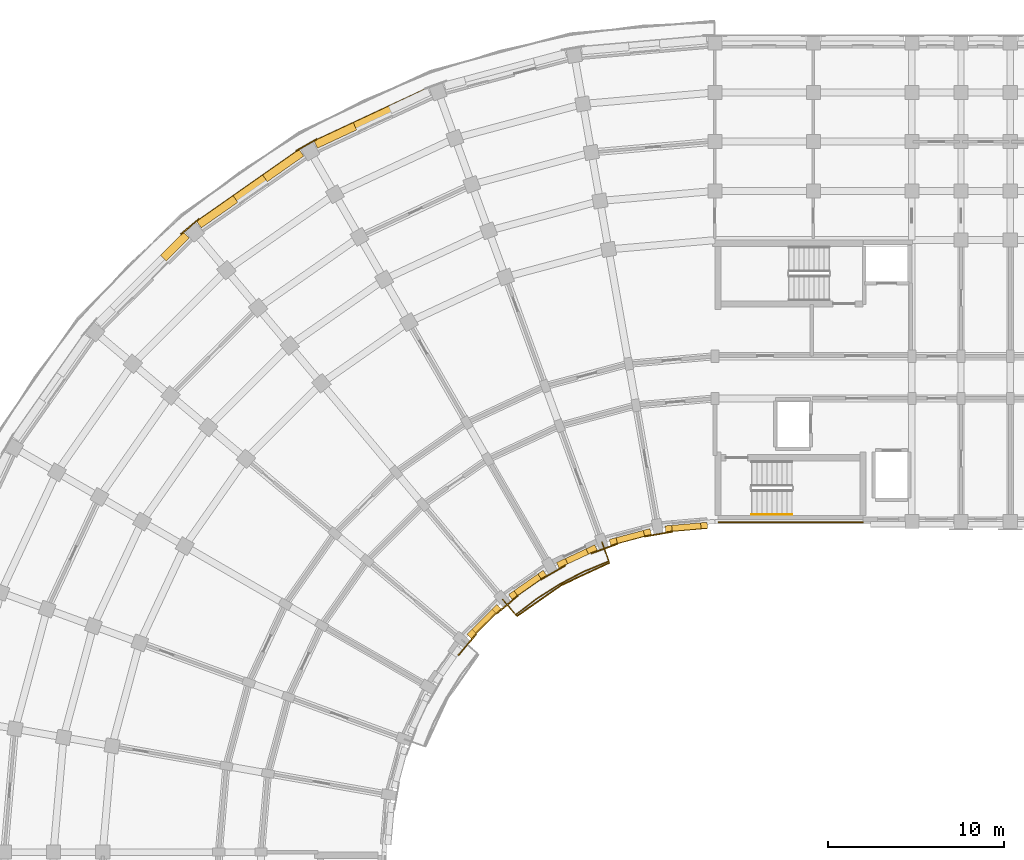
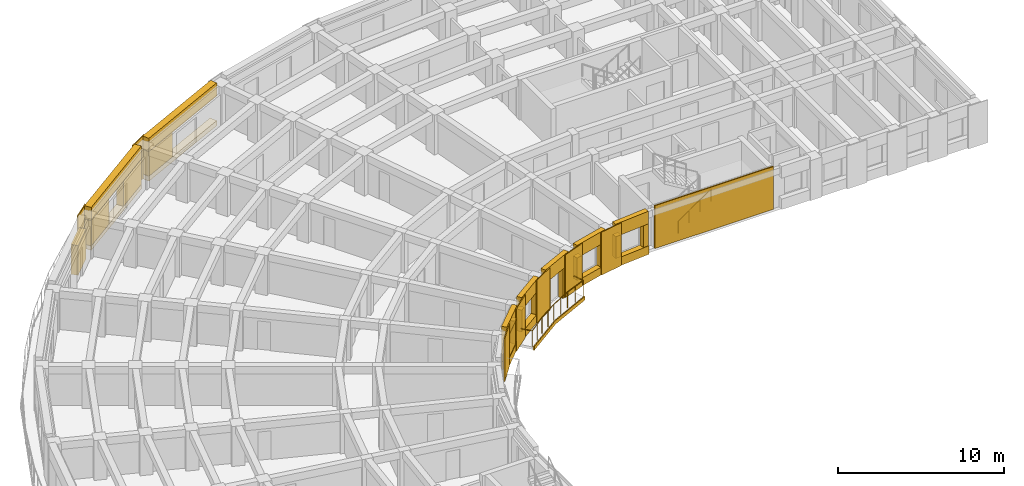
# One storey, part 46 of 54: 36 coverings, 2 railings, 1 shading device.
"""IFC4 building model written with IfcOpenShell, lengths in metres."""

from ifc_helpers import new_model, si_unit, direction, frame, origin, origin_2d, place, context, subcontext, project, spatial, polyline, rectangle, circle, outline, extrude, material, layer, layer_set, type_object, element, save


model = new_model("IFC4")

# Units and contexts
model_context = context("Model", 3, precision=1e-05, world=origin(), true_north=direction((0.0, 1.0)))
body_context = subcontext(model_context, "Body", "Model", "MODEL_VIEW")
ifc_project = project(units=[si_unit("LENGTHUNIT", "METRE"), si_unit("AREAUNIT", "SQUARE_METRE"), si_unit("VOLUMEUNIT", "CUBIC_METRE"), si_unit("PLANEANGLEUNIT", "RADIAN"), si_unit("MASSUNIT", "GRAM", prefix="KILO")], contexts=[model_context])

# Site, building, storey
site_placement = place(None, origin())
site = spatial("IfcSite", under=ifc_project, at=site_placement, CompositionType="ELEMENT")
building_placement = place(site_placement, origin())
building = spatial("IfcBuilding", under=site, at=building_placement, Name="Kiranvali Square Residences", CompositionType="ELEMENT")
storey_placement = place(building_placement, frame((0.0, 0.0, 11.85009765625)))
storey = spatial("IfcBuildingStorey", under=building, at=storey_placement, Name="L03", CompositionType="ELEMENT", Elevation=11.85009765625)

# Coverings
ifc_material_1 = material(Name="Carved Porbandar limestone classical entablature and cornice", Category="masonry")
ifc_layer_1 = layer(ifc_material_1, 0.06201171875)
ifc_layer_set_1 = layer_set([ifc_layer_1], Name="Carved Porbandar limestone classical entablature and cornice")
covering_type_1 = type_object("IfcCoveringType", Name="COV-CLAD-GBAL", PredefinedType="CLADDING", material=ifc_layer_set_1)
covering_1_placement = place(storey_placement, frame((0.0, 0.0, -0.22021484375)))
element("IfcCovering", 1, at=covering_1_placement, inside=storey, type_object=covering_type_1, Name="Block A L03 garden balcony limestone fascia 1", PredefinedType="CLADDING", context=body_context, shape_type="SweptSolid", body=[
    extrude(outline(polyline([(42.1982421875, 104.289794921875), (39.426025390625, 102.9970703125), (36.92041015625, 101.242431640625), (36.964111328125, 101.1904296875), (39.4599609375, 102.938232421875), (42.221435546875, 104.225830078125), (42.1982421875, 104.289794921875)])), origin(), (0.0, 0.0, 1.0), 0.27001953125),
])
ifc_material_2 = material(Name="Honed Porbandar limestone ashlar facade cladding", Category="masonry")
ifc_layer_2 = layer(ifc_material_2, 0.3798828125)
ifc_layer_set_2 = layer_set([ifc_layer_2], Name="Honed Porbandar limestone ashlar facade cladding")
covering_type_2 = type_object("IfcCoveringType", Name="COV-CLAD-JAMB", PredefinedType="CLADDING", material=ifc_layer_set_2)
covering_2_placement = place(storey_placement, frame((0.0, 0.0, 0.371826171875)))
element("IfcCovering", 2, at=covering_2_placement, inside=storey, type_object=covering_type_2, Name="L03 deep limestone window jamb reveal A-L03-CRV-02.R", PredefinedType="CLADDING", context=body_context, shape_type="SweptSolid", body=[
    extrude(outline(polyline([(27.64208984375, 129.283447265625), (25.413330078125, 128.244140625), (25.607666015625, 127.827880859375), (27.83642578125, 128.8671875), (27.64208984375, 129.283447265625)])), origin(), (0.0, 0.0, 1.0), 1.800048828125),
])
covering_3_placement = place(storey_placement, frame((0.0, 0.0, 0.322021484375)))
element("IfcCovering", 3, at=covering_3_placement, inside=storey, type_object=covering_type_2, Name="L03 deep limestone window jamb reveal A-L03-CRV-03.L", PredefinedType="CLADDING", context=body_context, shape_type="SweptSolid", body=[
    extrude(outline(polyline([(24.567626953125, 127.755859375), (22.49169921875, 126.30224609375), (22.755126953125, 125.926025390625), (24.8310546875, 127.37939453125), (24.567626953125, 127.755859375)])), origin(), (0.0, 0.0, 1.0), 1.849853515625),
])
covering_4_placement = place(storey_placement, frame((0.0, 0.0, 0.322021484375)))
element("IfcCovering", 4, at=covering_4_placement, inside=storey, type_object=covering_type_2, Name="L03 deep limestone window jamb reveal A-L03-CRV-03.R", PredefinedType="CLADDING", context=body_context, shape_type="SweptSolid", body=[
    extrude(outline(polyline([(20.8125, 125.12646484375), (18.736572265625, 123.6728515625), (19.0, 123.296630859375), (21.075927734375, 124.75), (20.8125, 125.12646484375)])), origin(), (0.0, 0.0, 1.0), 1.849853515625),
])
covering_5_placement = place(storey_placement, origin())
element("IfcCovering", 5, at=covering_5_placement, inside=storey, type_object=covering_type_2, Name="L03 deep limestone window jamb reveal A-L03-CRV-04.L", PredefinedType="CLADDING", context=body_context, shape_type="SweptSolid", body=[
    extrude(outline(polyline([(17.98828125, 123.045166015625), (16.686279296875, 121.742919921875), (17.01123046875, 121.418212890625), (18.313232421875, 122.72021484375), (17.98828125, 123.045166015625)])), origin(), (0.0, 0.0, 1.0), 2.179931640625),
])
covering_6_placement = place(storey_placement, frame((0.0, 0.0, 0.621826171875)))
element("IfcCovering", 6, at=covering_6_placement, inside=storey, type_object=covering_type_2, Name="L03 deep limestone window jamb reveal A-L03-GDN-00.L", PredefinedType="CLADDING", context=body_context, shape_type="SweptSolid", body=[
    extrude(outline(polyline([(47.76171875, 106.56103515625), (47.3896484375, 106.528564453125), (47.419189453125, 106.1904296875), (47.791259765625, 106.222900390625), (47.76171875, 106.56103515625)])), origin(), (0.0, 0.0, 1.0), 1.60009765625),
])
covering_7_placement = place(storey_placement, frame((0.0, 0.0, 0.621826171875)))
element("IfcCovering", 7, at=covering_7_placement, inside=storey, type_object=covering_type_2, Name="L03 deep limestone window jamb reveal A-L03-GDN-00.R", PredefinedType="CLADDING", context=body_context, shape_type="SweptSolid", body=[
    extrude(outline(polyline([(45.745849609375, 106.384765625), (45.373779296875, 106.352294921875), (45.4033203125, 106.013916015625), (45.775390625, 106.046630859375), (45.745849609375, 106.384765625)])), origin(), (0.0, 0.0, 1.0), 1.60009765625),
])
covering_8_placement = place(storey_placement, frame((0.0, 0.0, 0.572021484375)))
element("IfcCovering", 8, at=covering_8_placement, inside=storey, type_object=covering_type_2, Name="L03 deep limestone window jamb reveal A-L03-GDN-01.L", PredefinedType="CLADDING", context=body_context, shape_type="SweptSolid", body=[
    extrude(outline(polyline([(44.510498046875, 106.199951171875), (44.12548828125, 106.096923828125), (44.21337890625, 105.76904296875), (44.598388671875, 105.8720703125), (44.510498046875, 106.199951171875)])), origin(), (0.0, 0.0, 1.0), 1.64990234375),
])
covering_9_placement = place(storey_placement, frame((0.0, 0.0, 0.572021484375)))
element("IfcCovering", 9, at=covering_9_placement, inside=storey, type_object=covering_type_2, Name="L03 deep limestone window jamb reveal A-L03-GDN-01.R", PredefinedType="CLADDING", context=body_context, shape_type="SweptSolid", body=[
    extrude(outline(polyline([(42.580078125, 105.682861328125), (42.195068359375, 105.57958984375), (42.282958984375, 105.251708984375), (42.66796875, 105.354736328125), (42.580078125, 105.682861328125)])), origin(), (0.0, 0.0, 1.0), 1.64990234375),
])
covering_10_placement = place(storey_placement, origin())
element("IfcCovering", 10, at=covering_10_placement, inside=storey, type_object=covering_type_2, Name="L03 deep limestone window jamb reveal A-L03-GDN-02.L", PredefinedType="CLADDING", context=body_context, shape_type="SweptSolid", body=[
    extrude(outline(polyline([(41.37158203125, 105.27978515625), (40.874267578125, 105.048095703125), (41.017822265625, 104.740234375), (41.514892578125, 104.97216796875), (41.37158203125, 105.27978515625)])), origin(), (0.0, 0.0, 1.0), 2.179931640625),
])
covering_11_placement = place(storey_placement, origin())
element("IfcCovering", 11, at=covering_11_placement, inside=storey, type_object=covering_type_2, Name="L03 deep limestone window jamb reveal A-L03-GDN-02.R", PredefinedType="CLADDING", context=body_context, shape_type="SweptSolid", body=[
    extrude(outline(polyline([(39.696044921875, 104.49853515625), (39.198974609375, 104.266845703125), (39.342529296875, 103.958984375), (39.839599609375, 104.19091796875), (39.696044921875, 104.49853515625)])), origin(), (0.0, 0.0, 1.0), 2.179931640625),
])
covering_12_placement = place(storey_placement, frame((0.0, 0.0, 0.621826171875)))
element("IfcCovering", 12, at=covering_12_placement, inside=storey, type_object=covering_type_2, Name="L03 deep limestone window jamb reveal A-L03-GDN-03.L", PredefinedType="CLADDING", context=body_context, shape_type="SweptSolid", body=[
    extrude(outline(polyline([(38.43994140625, 103.828369140625), (38.1337890625, 103.6142578125), (38.32861328125, 103.336181640625), (38.634521484375, 103.55029296875), (38.43994140625, 103.828369140625)])), origin(), (0.0, 0.0, 1.0), 1.60009765625),
])
covering_13_placement = place(storey_placement, frame((0.0, 0.0, 0.621826171875)))
element("IfcCovering", 13, at=covering_13_placement, inside=storey, type_object=covering_type_2, Name="L03 deep limestone window jamb reveal A-L03-GDN-03.R", PredefinedType="CLADDING", context=body_context, shape_type="SweptSolid", body=[
    extrude(outline(polyline([(36.7822265625, 102.66796875), (36.476318359375, 102.45361328125), (36.671142578125, 102.175537109375), (36.97705078125, 102.3896484375), (36.7822265625, 102.66796875)])), origin(), (0.0, 0.0, 1.0), 1.60009765625),
])
covering_14_placement = place(storey_placement, frame((0.0, 0.0, 0.572021484375)))
element("IfcCovering", 14, at=covering_14_placement, inside=storey, type_object=covering_type_2, Name="L03 deep limestone window jamb reveal A-L03-GDN-04.L", PredefinedType="CLADDING", context=body_context, shape_type="SweptSolid", body=[
    extrude(outline(polyline([(35.804931640625, 101.89013671875), (35.52294921875, 101.6083984375), (35.76318359375, 101.368408203125), (36.044921875, 101.650146484375), (35.804931640625, 101.89013671875)])), origin(), (0.0, 0.0, 1.0), 1.64990234375),
])
covering_15_placement = place(storey_placement, frame((0.0, 0.0, 0.572021484375)))
element("IfcCovering", 15, at=covering_15_placement, inside=storey, type_object=covering_type_2, Name="L03 deep limestone window jamb reveal A-L03-GDN-04.R", PredefinedType="CLADDING", context=body_context, shape_type="SweptSolid", body=[
    extrude(outline(polyline([(34.3916015625, 100.47705078125), (34.10986328125, 100.195068359375), (34.349853515625, 99.955078125), (34.631591796875, 100.23681640625), (34.3916015625, 100.47705078125)])), origin(), (0.0, 0.0, 1.0), 1.64990234375),
])
ifc_layer_3 = layer(ifc_material_2, 0.06494140625)
ifc_layer_set_3 = layer_set([ifc_layer_3], Name="Honed Porbandar limestone ashlar facade cladding")
covering_type_3 = type_object("IfcCoveringType", Name="COV-CLAD-PIER", PredefinedType="CLADDING", material=ifc_layer_set_3)
covering_16_placement = place(storey_placement, frame((0.0, 0.0, 0.0048828125)))
element("IfcCovering", 16, at=covering_16_placement, inside=storey, type_object=covering_type_3, Name="L03 Classical limestone corner pilaster CLAD-PR-A-L03-A03", PredefinedType="CLADDING", context=body_context, shape_type="SweptSolid", body=[
    extrude(outline(polyline([(25.554931640625, 128.382568359375), (24.377197265625, 127.702392578125), (24.410888671875, 127.64404296875), (25.588623046875, 128.323974609375), (25.554931640625, 128.382568359375)])), origin(), (0.0, 0.0, 1.0), 3.14013671875),
])
covering_17_placement = place(storey_placement, frame((0.0, 0.0, 0.0048828125)))
element("IfcCovering", 17, at=covering_17_placement, inside=storey, type_object=covering_type_3, Name="L03 Classical limestone corner pilaster CLAD-PR-A-L03-A04", PredefinedType="CLADDING", context=body_context, shape_type="SweptSolid", body=[
    extrude(outline(polyline([(18.851806640625, 123.833740234375), (17.81005859375, 122.95947265625), (17.853515625, 122.90771484375), (18.895263671875, 123.781982421875), (18.851806640625, 123.833740234375)])), origin(), (0.0, 0.0, 1.0), 3.14013671875),
])
covering_18_placement = place(storey_placement, frame((0.0, 0.0, 0.0048828125)))
element("IfcCovering", 18, at=covering_18_placement, inside=storey, type_object=covering_type_3, Name="Block A L03 garden stair limestone ashlar cladding", PredefinedType="CLADDING", context=body_context, shape_type="SweptSolid", body=[
    extrude(outline(polyline([(48.39990234375, 106.52001953125), (56.64990234375, 106.52001953125), (56.64990234375, 106.597900390625), (48.39990234375, 106.597900390625), (48.39990234375, 106.52001953125)])), origin(), (0.0, 0.0, 1.0), 3.14013671875),
])
ifc_layer_4 = layer(ifc_material_2, 0.050048828125)
ifc_layer_set_4 = layer_set([ifc_layer_4], Name="Honed Porbandar limestone ashlar facade cladding")
covering_type_4 = type_object("IfcCoveringType", Name="COV-CLAD-PIER-IN", PredefinedType="CLADDING", material=ifc_layer_set_4)
covering_19_placement = place(storey_placement, frame((0.0, 0.0, 0.0048828125)))
element("IfcCovering", 19, at=covering_19_placement, inside=storey, type_object=covering_type_4, Name="L03 Classical garden courtyard pilaster CLAD-PRIN-A-L03-A01", PredefinedType="CLADDING", context=body_context, shape_type="SweptSolid", body=[
    extrude(outline(polyline([(44.228759765625, 105.714599609375), (45.804443359375, 105.992431640625), (45.792724609375, 106.058837890625), (44.217041015625, 105.781005859375), (44.228759765625, 105.714599609375)])), origin(), (0.0, 0.0, 1.0), 3.14013671875),
])
covering_20_placement = place(storey_placement, frame((0.0, 0.0, 0.0048828125)))
element("IfcCovering", 20, at=covering_20_placement, inside=storey, type_object=covering_type_4, Name="L03 Classical garden courtyard pilaster CLAD-PRIN-A-L03-A02", PredefinedType="CLADDING", context=body_context, shape_type="SweptSolid", body=[
    extrude(outline(polyline([(41.17822265625, 104.7529296875), (42.681884765625, 105.300048828125), (42.65869140625, 105.363525390625), (41.1552734375, 104.816162109375), (41.17822265625, 104.7529296875)])), origin(), (0.0, 0.0, 1.0), 3.14013671875),
])
covering_21_placement = place(storey_placement, frame((0.0, 0.0, 0.0048828125)))
element("IfcCovering", 21, at=covering_21_placement, inside=storey, type_object=covering_type_4, Name="L03 Classical garden courtyard pilaster CLAD-PRIN-A-L03-A03", PredefinedType="CLADDING", context=body_context, shape_type="SweptSolid", body=[
    extrude(outline(polyline([(38.341064453125, 103.27587890625), (39.726806640625, 104.075927734375), (39.693115234375, 104.134521484375), (38.307373046875, 103.33447265625), (38.341064453125, 103.27587890625)])), origin(), (0.0, 0.0, 1.0), 3.14013671875),
])
covering_22_placement = place(storey_placement, frame((0.0, 0.0, 0.0048828125)))
element("IfcCovering", 22, at=covering_22_placement, inside=storey, type_object=covering_type_4, Name="L03 Classical garden courtyard pilaster CLAD-PRIN-A-L03-A04", PredefinedType="CLADDING", context=body_context, shape_type="SweptSolid", body=[
    extrude(outline(polyline([(35.803466796875, 101.328857421875), (37.029296875, 102.357421875), (36.98583984375, 102.4091796875), (35.76025390625, 101.380615234375), (35.803466796875, 101.328857421875)])), origin(), (0.0, 0.0, 1.0), 3.14013671875),
])
covering_23_placement = place(storey_placement, frame((0.0, 0.0, 0.0048828125)))
element("IfcCovering", 23, at=covering_23_placement, inside=storey, type_object=covering_type_4, Name="L03 Classical garden courtyard pilaster CLAD-PRIN-A-L03-A05", PredefinedType="CLADDING", context=body_context, shape_type="SweptSolid", body=[
    extrude(outline(polyline([(33.642578125, 98.970703125), (34.671142578125, 100.196533203125), (34.619384765625, 100.23974609375), (33.5908203125, 99.01416015625), (33.642578125, 98.970703125)])), origin(), (0.0, 0.0, 1.0), 3.14013671875),
])
ifc_layer_5 = layer(ifc_material_2, 0.360107421875)
ifc_layer_set_5 = layer_set([ifc_layer_5], Name="Honed Porbandar limestone ashlar facade cladding")
covering_type_5 = type_object("IfcCoveringType", Name="COV-CLAD-WALL", PredefinedType="CLADDING", material=ifc_layer_set_5)
covering_24_placement = place(storey_placement, frame((0.0, 0.0, 2.171875)))
element("IfcCovering", 24, at=covering_24_placement, inside=storey, type_object=covering_type_5, Name="L03 light limestone spandrel lintel A-L03-CRV-02", PredefinedType="CLADDING", context=body_context, shape_type="SweptSolid", body=[
    extrude(outline(polyline([(31.86474609375, 131.252685546875), (25.413330078125, 128.244140625), (25.607666015625, 127.827880859375), (32.05908203125, 130.836181640625), (31.86474609375, 131.252685546875)])), origin(), (0.0, 0.0, 1.0), 0.97314453125),
])
covering_25_placement = place(storey_placement, frame((0.0, 0.0, 0.0048828125)))
element("IfcCovering", 25, at=covering_25_placement, inside=storey, type_object=covering_type_5, Name="L03 limestone window sill apron A-L03-CRV-02", PredefinedType="CLADDING", context=body_context, shape_type="SweptSolid", body=[
    extrude(outline(polyline([(31.85205078125, 131.27978515625), (25.40087890625, 128.271484375), (25.607666015625, 127.827880859375), (32.05908203125, 130.836181640625), (31.85205078125, 131.27978515625)])), origin(), (0.0, 0.0, 1.0), 0.366943359375),
])
covering_26_placement = place(storey_placement, frame((0.0, 0.0, 2.171875)))
element("IfcCovering", 26, at=covering_26_placement, inside=storey, type_object=covering_type_5, Name="L03 light limestone spandrel lintel A-L03-CRV-03", PredefinedType="CLADDING", context=body_context, shape_type="SweptSolid", body=[
    extrude(outline(polyline([(24.567626953125, 127.755859375), (18.736572265625, 123.6728515625), (19.0, 123.296630859375), (24.8310546875, 127.37939453125), (24.567626953125, 127.755859375)])), origin(), (0.0, 0.0, 1.0), 0.97314453125),
])
covering_27_placement = place(storey_placement, frame((0.0, 0.0, 0.0048828125)))
element("IfcCovering", 27, at=covering_27_placement, inside=storey, type_object=covering_type_5, Name="L03 limestone window sill apron A-L03-CRV-03", PredefinedType="CLADDING", context=body_context, shape_type="SweptSolid", body=[
    extrude(outline(polyline([(24.55029296875, 127.780517578125), (18.71923828125, 123.697509765625), (19.0, 123.296630859375), (24.8310546875, 127.37939453125), (24.55029296875, 127.780517578125)])), origin(), (0.0, 0.0, 1.0), 0.317138671875),
])
covering_28_placement = place(storey_placement, frame((0.0, 0.0, 2.221923828125)))
element("IfcCovering", 28, at=covering_28_placement, inside=storey, type_object=covering_type_5, Name="L03 light limestone spandrel lintel A-L03-GDN-00", PredefinedType="CLADDING", context=body_context, shape_type="SweptSolid", body=[
    extrude(outline(polyline([(47.76171875, 106.56103515625), (45.373779296875, 106.352294921875), (45.4033203125, 106.013916015625), (47.791259765625, 106.222900390625), (47.76171875, 106.56103515625)])), origin(), (0.0, 0.0, 1.0), 0.923095703125),
])
covering_29_placement = place(storey_placement, frame((0.0, 0.0, 2.221923828125)))
element("IfcCovering", 29, at=covering_29_placement, inside=storey, type_object=covering_type_5, Name="L03 light limestone spandrel lintel A-L03-GDN-01", PredefinedType="CLADDING", context=body_context, shape_type="SweptSolid", body=[
    extrude(outline(polyline([(44.510498046875, 106.199951171875), (42.195068359375, 105.57958984375), (42.282958984375, 105.251708984375), (44.598388671875, 105.8720703125), (44.510498046875, 106.199951171875)])), origin(), (0.0, 0.0, 1.0), 0.923095703125),
])
covering_30_placement = place(storey_placement, frame((0.0, 0.0, 2.179931640625)))
element("IfcCovering", 30, at=covering_30_placement, inside=storey, type_object=covering_type_5, Name="L03 light limestone spandrel lintel A-L03-GDN-02", PredefinedType="CLADDING", context=body_context, shape_type="SweptSolid", body=[
    extrude(outline(polyline([(41.37158203125, 105.27978515625), (39.198974609375, 104.266845703125), (39.342529296875, 103.958984375), (41.514892578125, 104.97216796875), (41.37158203125, 105.27978515625)])), origin(), (0.0, 0.0, 1.0), 0.965087890625),
])
covering_31_placement = place(storey_placement, frame((0.0, 0.0, 2.221923828125)))
element("IfcCovering", 31, at=covering_31_placement, inside=storey, type_object=covering_type_5, Name="L03 light limestone spandrel lintel A-L03-GDN-03", PredefinedType="CLADDING", context=body_context, shape_type="SweptSolid", body=[
    extrude(outline(polyline([(38.43994140625, 103.828369140625), (36.476318359375, 102.45361328125), (36.671142578125, 102.175537109375), (38.634521484375, 103.55029296875), (38.43994140625, 103.828369140625)])), origin(), (0.0, 0.0, 1.0), 0.923095703125),
])
covering_32_placement = place(storey_placement, frame((0.0, 0.0, 2.221923828125)))
element("IfcCovering", 32, at=covering_32_placement, inside=storey, type_object=covering_type_5, Name="L03 light limestone spandrel lintel A-L03-GDN-04", PredefinedType="CLADDING", context=body_context, shape_type="SweptSolid", body=[
    extrude(outline(polyline([(35.804931640625, 101.89013671875), (34.10986328125, 100.195068359375), (34.349853515625, 99.955078125), (36.044921875, 101.650146484375), (35.804931640625, 101.89013671875)])), origin(), (0.0, 0.0, 1.0), 0.923095703125),
])
ifc_layer_6 = layer(ifc_material_2, 0.2900390625)
ifc_layer_set_6 = layer_set([ifc_layer_6], Name="Honed Porbandar limestone ashlar facade cladding")
covering_type_6 = type_object("IfcCoveringType", Name="COV-CLAD-WALL-IN", PredefinedType="CLADDING", material=ifc_layer_set_6)
covering_33_placement = place(storey_placement, frame((0.0, 0.0, 0.0048828125)))
element("IfcCovering", 33, at=covering_33_placement, inside=storey, type_object=covering_type_6, Name="L03 limestone window sill apron A-L03-GDN-00", PredefinedType="CLADDING", context=body_context, shape_type="SweptSolid", body=[
    extrude(outline(polyline([(47.76171875, 106.56103515625), (45.373779296875, 106.352294921875), (45.406005859375, 105.984130859375), (47.7939453125, 106.193115234375), (47.76171875, 106.56103515625)])), origin(), (0.0, 0.0, 1.0), 0.616943359375),
])
covering_34_placement = place(storey_placement, frame((0.0, 0.0, 0.0048828125)))
element("IfcCovering", 34, at=covering_34_placement, inside=storey, type_object=covering_type_6, Name="L03 limestone window sill apron A-L03-GDN-01", PredefinedType="CLADDING", context=body_context, shape_type="SweptSolid", body=[
    extrude(outline(polyline([(44.510498046875, 106.199951171875), (42.195068359375, 105.57958984375), (42.290771484375, 105.22265625), (44.606201171875, 105.843017578125), (44.510498046875, 106.199951171875)])), origin(), (0.0, 0.0, 1.0), 0.567138671875),
])
covering_35_placement = place(storey_placement, frame((0.0, 0.0, 0.0048828125)))
element("IfcCovering", 35, at=covering_35_placement, inside=storey, type_object=covering_type_6, Name="L03 limestone window sill apron A-L03-GDN-03", PredefinedType="CLADDING", context=body_context, shape_type="SweptSolid", body=[
    extrude(outline(polyline([(38.43994140625, 103.828369140625), (36.476318359375, 102.45361328125), (36.688232421875, 102.15087890625), (38.65185546875, 103.52587890625), (38.43994140625, 103.828369140625)])), origin(), (0.0, 0.0, 1.0), 0.616943359375),
])
covering_36_placement = place(storey_placement, frame((0.0, 0.0, 0.0048828125)))
element("IfcCovering", 36, at=covering_36_placement, inside=storey, type_object=covering_type_6, Name="L03 limestone window sill apron A-L03-GDN-04", PredefinedType="CLADDING", context=body_context, shape_type="SweptSolid", body=[
    extrude(outline(polyline([(35.804931640625, 101.89013671875), (34.10986328125, 100.195068359375), (34.37109375, 99.933837890625), (36.066162109375, 101.62890625), (35.804931640625, 101.89013671875)])), origin(), (0.0, 0.0, 1.0), 0.567138671875),
])

# Railings
ifc_material_3 = material(Name="Powder-coated architectural bronze balustrade", Category="steel")
railing_type_1 = type_object("IfcRailingType", Name="RL-BAL-GOLD-1200", PredefinedType="BALUSTRADE", material=ifc_material_3)
railing_1_placement = place(storey_placement, frame((41.78369140625, 105.4287109375, 0.0)))
element("IfcRailing", 37, at=railing_1_placement, inside=storey, type_object=railing_type_1, Name="Block A L03 garden balcony gold balustrade 1", PredefinedType="BALUSTRADE", context=body_context, shape_type="SweptSolid", body=[
    extrude(circle(Radius=0.02392578125, at=origin_2d()), frame((0.0, 0.0, 1.17578125), z_axis=(0.341964618562, -0.939712828289, 0.0), x_axis=(0.939712828289, 0.341964618562, 0.0)), (0.0, 0.0, 1.0), 1.150146484375),
    extrude(circle(Radius=0.02392578125, at=origin_2d()), frame((0.393310546875, -1.080810546875, 1.17578125), z_axis=(-0.923892883829, -0.382651197843, 0.0), x_axis=(0.382651197843, -0.923892883829, 0.0)), (0.0, 0.0, 1.0), 1.536376953125),
    extrude(circle(Radius=0.02392578125, at=origin_2d()), frame((-1.026123046875, -1.668701171875, 1.17578125), z_axis=(-0.887029366154, -0.461713009976, 0.0), x_axis=(0.461713009976, -0.887029366154, 0.0)), (0.0, 0.0, 1.0), 1.5361328125),
    extrude(circle(Radius=0.02392578125, at=origin_2d()), frame((-2.388671875, -2.3779296875, 1.17578125), z_axis=(-0.843386539688, -0.537307309343, 0.0), x_axis=(0.537307309343, -0.843386539688, 0.0)), (0.0, 0.0, 1.0), 1.5361328125),
    extrude(circle(Radius=0.02392578125, at=origin_2d()), frame((-3.684326171875, -3.203369140625, 1.17578125), z_axis=(-0.793314680996, -0.608811807471, 0.0), x_axis=(0.608811807471, -0.793314680996, 0.0)), (0.0, 0.0, 1.0), 1.536376953125),
    extrude(circle(Radius=0.02392578125, at=origin_2d()), frame((-4.903076171875, -4.138671875, 1.17578125), z_axis=(-0.642853454051, 0.765989188314, 0.0), x_axis=(-0.765989188314, -0.642853454051, 0.0)), (0.0, 0.0, 1.0), 1.14990234375),
    extrude(circle(Radius=0.02099609375, at=origin_2d()), origin(), (0.0, 0.0, 1.0), 1.15185546875),
    extrude(circle(Radius=0.02099609375, at=origin_2d()), frame((0.393310546875, -1.080810546875, 0.0)), (0.0, 0.0, 1.0), 1.15185546875),
    extrude(circle(Radius=0.02099609375, at=origin_2d()), frame((-0.31640625, -1.374755859375, 0.0)), (0.0, 0.0, 1.0), 1.15185546875),
    extrude(circle(Radius=0.02099609375, at=origin_2d()), frame((-1.026123046875, -1.668701171875, 0.0)), (0.0, 0.0, 1.0), 1.15185546875),
    extrude(circle(Radius=0.02099609375, at=origin_2d()), frame((-1.70751953125, -2.0234375, 0.0)), (0.0, 0.0, 1.0), 1.15185546875),
    extrude(circle(Radius=0.02099609375, at=origin_2d()), frame((-2.388671875, -2.3779296875, 0.0)), (0.0, 0.0, 1.0), 1.15185546875),
    extrude(circle(Radius=0.02099609375, at=origin_2d()), frame((-3.03662109375, -2.79052734375, 0.0)), (0.0, 0.0, 1.0), 1.15185546875),
    extrude(circle(Radius=0.02099609375, at=origin_2d()), frame((-3.684326171875, -3.203369140625, 0.0)), (0.0, 0.0, 1.0), 1.15185546875),
    extrude(circle(Radius=0.02099609375, at=origin_2d()), frame((-4.293701171875, -3.6708984375, 0.0)), (0.0, 0.0, 1.0), 1.15185546875),
    extrude(circle(Radius=0.02099609375, at=origin_2d()), frame((-4.903076171875, -4.138671875, 0.0)), (0.0, 0.0, 1.0), 1.15185546875),
    extrude(circle(Radius=0.02099609375, at=origin_2d()), frame((-5.642333984375, -3.2578125, 0.0)), (0.0, 0.0, 1.0), 1.15185546875),
])
ifc_material_4 = material(Name="Brushed stainless steel tubular handrail", Category="steel")
railing_type_2 = type_object("IfcRailingType", Name="RL-HANDRAIL-900", PredefinedType="HANDRAIL", material=ifc_material_4)
railing_2_placement = place(storey_placement, frame((50.300048828125, 107.0, 0.1748046875)))
element("IfcRailing", 38, at=railing_2_placement, inside=storey, type_object=railing_type_2, Name="L03 ST-A2 stair handrail 1", PredefinedType="HANDRAIL", context=body_context, shape_type="SweptSolid", body=[
    extrude(circle(Radius=0.02392578125, at=origin_2d()), frame((0.0, 0.0, 0.8759765625), z_axis=(0.82274681792, 0.0, 0.568408016835), x_axis=(0.0, 1.0, 0.0)), (0.0, 0.0, 1.0), 2.771240234375),
    extrude(circle(Radius=0.02099609375, at=origin_2d()), origin(), (0.0, 0.0, 1.0), 0.851806640625),
    extrude(circle(Radius=0.02099609375, at=origin_2d()), frame((0.760009765625, 0.0, 0.525146484375)), (0.0, 0.0, 1.0), 0.851806640625),
    extrude(circle(Radius=0.02099609375, at=origin_2d()), frame((1.52001953125, 0.0, 1.050048828125)), (0.0, 0.0, 1.0), 0.851806640625),
    extrude(circle(Radius=0.02099609375, at=origin_2d()), frame((2.280029296875, 0.0, 1.5751953125)), (0.0, 0.0, 1.0), 0.851806640625),
])

# Shading device
ifc_material_5 = material(Name="Pierced buff sandstone architectural mashrabiya solar screen", Category="masonry")
shading_device_type = type_object("IfcShadingDeviceType", Name="SHD-JALI-1600", PredefinedType="JALOUSIE", material=ifc_material_5)
shading_device_placement = place(storey_placement, frame((35.183349609375, 100.816650390625, 0.572021484375), z_axis=(0.0, 0.0, 1.0), x_axis=(-0.707106781187, -0.707106781187, 0.0)))
element("IfcShadingDevice", 39, at=shading_device_placement, inside=storey, type_object=shading_device_type, Name="L03 carved stone Mashrabiya screen A-L03-GDN-04", PredefinedType="JALOUSIE", context=body_context, shape_type="SweptSolid", body=[
    extrude(rectangle(XDim=1.5, YDim=0.044921875, at=origin_2d()), origin(), (0.0, 0.0, 1.0), 1.64990234375),
])

save(model, "model.ifc")
